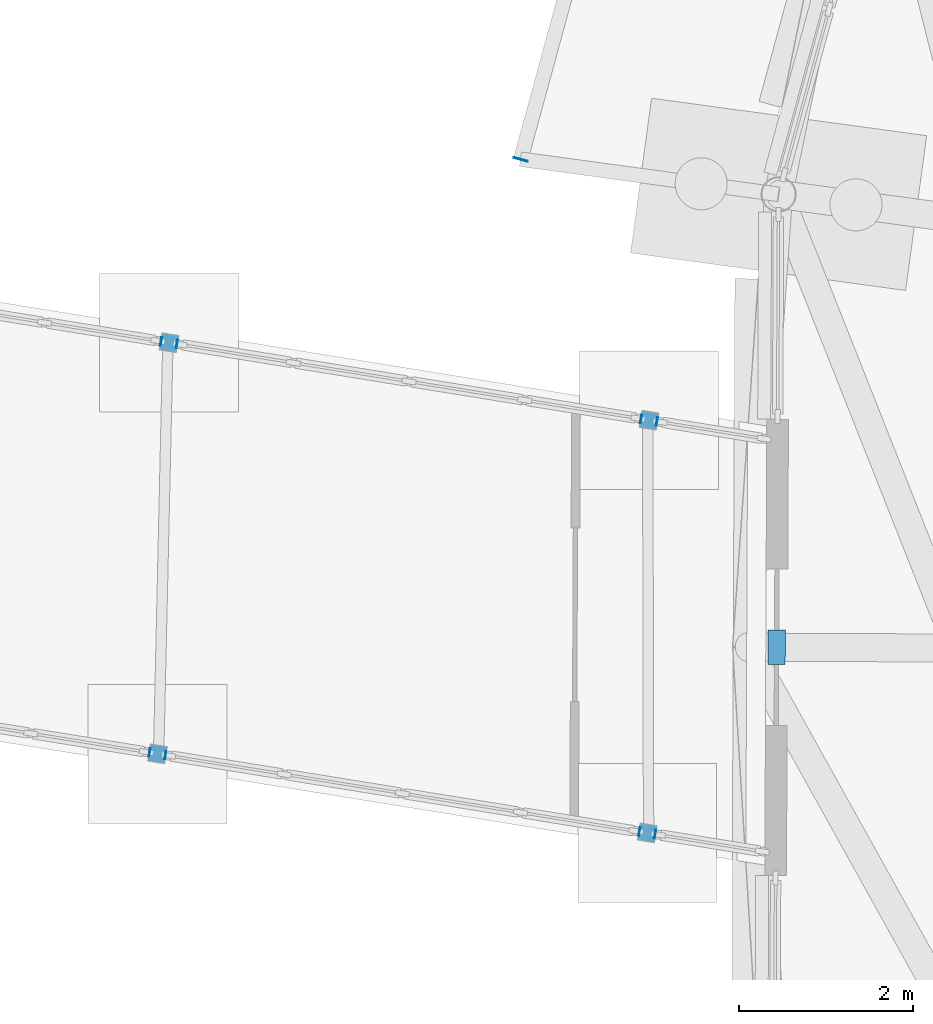
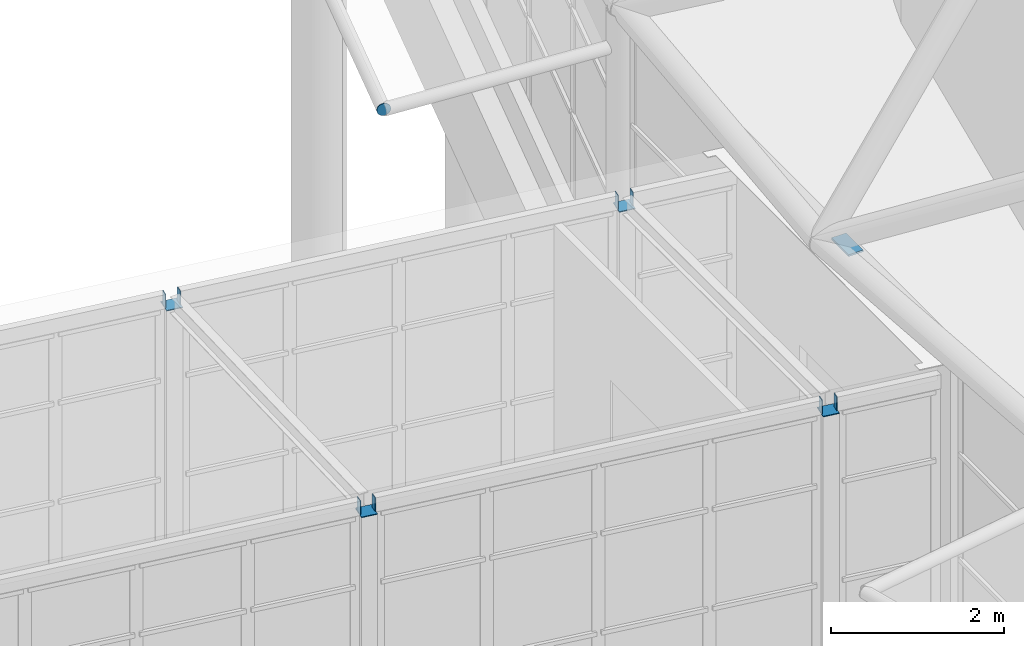
# One storey, part 208 of 226: 14 discrete accessories.
"""IFC4 building model written with IfcOpenShell, lengths in metres."""

from ifc_helpers import new_model, si_unit, direction, frame, origin, origin_2d, place, context, subcontext, project, spatial, rectangle, circle, extrude, material, layer, layer_set, material_profile, profile_set, type_object, element, save


model = new_model("IFC4")

# Units and contexts
model_context = context("Model", 3, precision=1e-05, world=origin(), true_north=direction((0.0, 1.0)))
body_context = subcontext(model_context, "Body", "Model", "MODEL_VIEW")
ifc_project = project(units=[si_unit("LENGTHUNIT", "METRE"), si_unit("AREAUNIT", "SQUARE_METRE"), si_unit("VOLUMEUNIT", "CUBIC_METRE"), si_unit("PLANEANGLEUNIT", "RADIAN"), si_unit("MASSUNIT", "GRAM", prefix="KILO")], contexts=[model_context])

# Site, building, storey
site_placement = place(None, origin())
site = spatial("IfcSite", under=ifc_project, at=site_placement, CompositionType="ELEMENT")
building_placement = place(site_placement, origin())
building = spatial("IfcBuilding", under=site, at=building_placement, Name="Ceibo Conservatory and Research Tower", CompositionType="ELEMENT")
storey_placement = place(building_placement, origin())
storey = spatial("IfcBuildingStorey", under=building, at=storey_placement, Name="L00", CompositionType="ELEMENT", Elevation=0.0)

# Discrete accessories
ifc_material = material(Name="Steel S355J2", Category="steel")
ifc_layer = layer(ifc_material, 0.02490234375)
ifc_layer_set = layer_set([ifc_layer], Name="Steel S355J2")
discrete_accessory_type_1 = type_object("IfcDiscreteAccessoryType", Name="Cast-in plate PL 400x200x25", PredefinedType="ANCHORPLATE", material=ifc_layer_set)
discrete_accessory_1_placement = place(storey_placement, frame((116.342529296875, 108.173583984375, 4.31298828125), z_axis=(0.0, 0.0, 1.0), x_axis=(-0.004363309285, -0.999990480721, 0.0)))
element("IfcDiscreteAccessory", 1, at=discrete_accessory_1_placement, inside=storey, type_object=discrete_accessory_type_1, Name="Cast-in plate A-D01-24 in Drum door stub wall A-W12", PredefinedType="ANCHORPLATE", context=body_context, shape_type="SweptSolid", body=[
    extrude(rectangle(XDim=0.39990234375, YDim=0.199951171875, at=origin_2d()), origin(), (0.0, 0.0, 1.0), 0.02490234375),
])
ifc_material_profile_1 = material_profile(ifc_material, rectangle(XDim=0.10009765625, YDim=0.199951171875, at=origin_2d()), Name="End plate PL 200x100x8")
ifc_profile_set_1 = profile_set([ifc_material_profile_1], Name="Steel S355J2")
discrete_accessory_type_2 = type_object("IfcDiscreteAccessoryType", Name="End plate PL 200x100x8", PredefinedType="USERDEFINED", material=ifc_profile_set_1)
for number, where, z_axis, x_axis, name in (
    (2, (114.947021484375, 106.017822265625, 3.89990234375), (-0.985030467156, 0.172380331752, 0.0), (-0.172380331752, -0.985030467156, 0.0), "Gallery edge beam A-RT-EBN01 end plate"),
    (3, (114.765380859375, 106.047119140625, 3.89990234375), (-0.985030467156, 0.172380331752, 0.0), (-0.172380331752, -0.985030467156, 0.0), "Gallery edge beam A-RT-EBN02 end plate"),
):
    element("IfcDiscreteAccessory", number, at=place(storey_placement, frame(where, z_axis=z_axis, x_axis=x_axis)), inside=storey, type_object=discrete_accessory_type_2, Name=name, ObjectType="End plate", PredefinedType="USERDEFINED", context=body_context, shape_type="SweptSolid", body=[
        extrude(rectangle(XDim=0.10009765625, YDim=0.199951171875, at=origin_2d()), origin(), (0.0, 0.0, 1.0), 0.010009765625),
    ])
for number, where, z_axis, x_axis, name in (
    (4, (109.302001953125, 106.929443359375, 3.89990234375), (-0.988936352868, 0.14834045293, 0.0), (-0.14834045293, -0.988936352868, 0.0), "Gallery edge beam A-RT-EBN02 end plate"),
    (5, (109.120361328125, 106.958740234375, 3.89990234375), (-0.988936352868, 0.14834045293, 0.0), (-0.14834045293, -0.988936352868, 0.0), "Gallery edge beam A-RT-EBN03 end plate"),
):
    element("IfcDiscreteAccessory", number, at=place(storey_placement, frame(where, z_axis=z_axis, x_axis=x_axis)), inside=storey, type_object=discrete_accessory_type_2, Name=name, ObjectType="End plate", PredefinedType="USERDEFINED", context=body_context, shape_type="SweptSolid", body=[
        extrude(rectangle(XDim=0.10009765625, YDim=0.199951171875, at=origin_2d()), origin(), (0.0, 0.0, 1.0), 0.009765625),
    ])
discrete_accessory_2_placement = place(storey_placement, frame((114.968017578125, 110.775390625, 3.89990234375), z_axis=(-0.98573642551, 0.168296462892, 0.0), x_axis=(-0.168296462892, -0.98573642551, 0.0)))
element("IfcDiscreteAccessory", 6, at=discrete_accessory_2_placement, inside=storey, type_object=discrete_accessory_type_2, Name="Gallery edge beam A-RT-EBS01 end plate", ObjectType="End plate", PredefinedType="USERDEFINED", context=body_context, shape_type="SweptSolid", body=[
    extrude(rectangle(XDim=0.10009765625, YDim=0.199951171875, at=origin_2d()), origin(), (0.0, 0.0, 1.0), 0.01025390625),
])
discrete_accessory_3_placement = place(storey_placement, frame((114.7861328125, 110.8046875, 3.89990234375), z_axis=(-0.985030467156, 0.172380331752, 0.0), x_axis=(-0.172380331752, -0.985030467156, 0.0)))
element("IfcDiscreteAccessory", 7, at=discrete_accessory_3_placement, inside=storey, type_object=discrete_accessory_type_2, Name="Gallery edge beam A-RT-EBS02 end plate", ObjectType="End plate", PredefinedType="USERDEFINED", context=body_context, shape_type="SweptSolid", body=[
    extrude(rectangle(XDim=0.10009765625, YDim=0.199951171875, at=origin_2d()), origin(), (0.0, 0.0, 1.0), 0.010009765625),
])
for number, where, z_axis, x_axis, name in (
    (8, (109.43505859375, 111.668701171875, 3.89990234375), (-0.98573642551, 0.168296462892, 0.0), (-0.168296462892, -0.98573642551, 0.0), "Gallery edge beam A-RT-EBS02 end plate"),
    (9, (109.25341796875, 111.697998046875, 3.89990234375), (-0.98573642551, 0.168296462892, 0.0), (-0.168296462892, -0.98573642551, 0.0), "Gallery edge beam A-RT-EBS03 end plate"),
):
    element("IfcDiscreteAccessory", number, at=place(storey_placement, frame(where, z_axis=z_axis, x_axis=x_axis)), inside=storey, type_object=discrete_accessory_type_2, Name=name, ObjectType="End plate", PredefinedType="USERDEFINED", context=body_context, shape_type="SweptSolid", body=[
        extrude(rectangle(XDim=0.10009765625, YDim=0.199951171875, at=origin_2d()), origin(), (0.0, 0.0, 1.0), 0.01025390625),
    ])
ifc_material_profile_2 = material_profile(ifc_material, rectangle(XDim=0.199951171875, YDim=0.199951171875, at=origin_2d()), Name="End plate PL 200x200x10")
ifc_profile_set_2 = profile_set([ifc_material_profile_2], Name="Steel S355J2")
discrete_accessory_type_3 = type_object("IfcDiscreteAccessoryType", Name="End plate PL 200x200x10", PredefinedType="USERDEFINED", material=ifc_profile_set_2)
for number, where, z_axis, x_axis, name in (
    (10, (114.851318359375, 106.033447265625, 3.798095703125), (0.0, 0.0, 1.0), (-0.987215515464, 0.159391110254, 0.0), "Gallery column A-RT-CN01 end plate"),
    (11, (109.206298828125, 106.94482421875, 3.798095703125), (0.0, 0.0, 1.0), (-0.987215515464, 0.159391110254, 0.0), "Gallery column A-RT-CN02 end plate"),
    (12, (114.8720703125, 110.790771484375, 3.798095703125), (0.0, 0.0, 1.0), (-0.987215515464, 0.159391110254, 0.0), "Gallery column A-RT-CS01 end plate"),
    (13, (109.339111328125, 111.68408203125, 3.798095703125), (0.0, 0.0, 1.0), (-0.987215515464, 0.159391110254, 0.0), "Gallery column A-RT-CS02 end plate"),
):
    element("IfcDiscreteAccessory", number, at=place(storey_placement, frame(where, z_axis=z_axis, x_axis=x_axis)), inside=storey, type_object=discrete_accessory_type_3, Name=name, ObjectType="End plate", PredefinedType="USERDEFINED", context=body_context, shape_type="SweptSolid", body=[
        extrude(rectangle(XDim=0.199951171875, YDim=0.199951171875, at=origin_2d()), origin(), (0.0, 0.0, 1.0), 0.011962890625),
    ])
ifc_material_profile_3 = material_profile(ifc_material, circle(Radius=0.084228515625, at=origin_2d()), Name="End plate PL D168.3x8")
ifc_profile_set_3 = profile_set([ifc_material_profile_3], Name="Steel S355J2")
discrete_accessory_type_4 = type_object("IfcDiscreteAccessoryType", Name="End plate PL D168.3x8", PredefinedType="USERDEFINED", material=ifc_profile_set_3)
discrete_accessory_4_placement = place(storey_placement, frame((113.393310546875, 113.800537109375, 3.863525390625), z_axis=(-0.265156483021, -0.964205392804, 0.0), x_axis=(0.964205392804, -0.265156483021, 0.0)))
element("IfcDiscreteAccessory", 14, at=discrete_accessory_4_placement, inside=storey, type_object=discrete_accessory_type_4, Name="Brim tip ring A-TR15 end plate", ObjectType="End plate", PredefinedType="USERDEFINED", context=body_context, shape_type="SweptSolid", body=[
    extrude(circle(Radius=0.084228515625, at=origin_2d()), origin(), (0.0, 0.0, 1.0), 0.010009765625),
])

save(model, "model.ifc")
